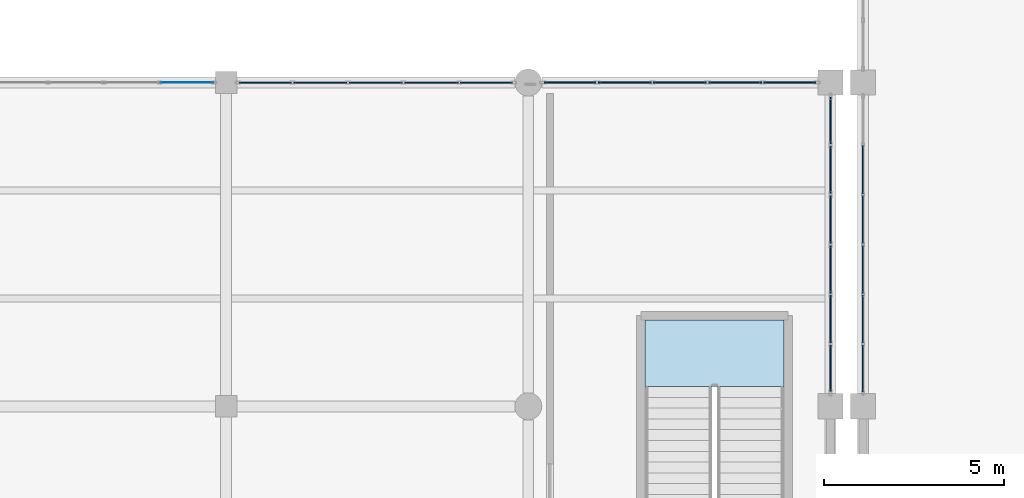
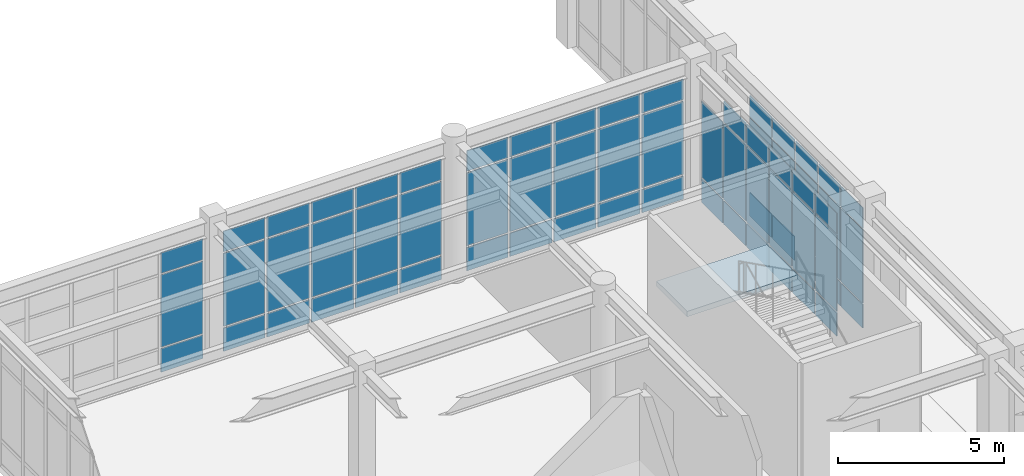
# One storey, part 61 of 80: 65 plates, 1 slab, 6 elements without a shape of their own.
"""IFC4 building model written with IfcOpenShell, lengths in metres."""

from ifc_helpers import new_model, si_unit, direction, frame, origin, origin_2d, place, context, subcontext, project, spatial, polyline, rectangle, outline, extrude, material, layer, layer_set, type_object, element, aggregate, save


model = new_model("IFC4")

# Units and contexts
model_context = context("Model", 3, precision=1e-05, world=origin(), true_north=direction((0.0, 1.0)))
body_context = subcontext(model_context, "Body", "Model", "MODEL_VIEW")
ifc_project = project(units=[si_unit("LENGTHUNIT", "METRE"), si_unit("AREAUNIT", "SQUARE_METRE"), si_unit("VOLUMEUNIT", "CUBIC_METRE"), si_unit("PLANEANGLEUNIT", "RADIAN"), si_unit("MASSUNIT", "GRAM", prefix="KILO")], contexts=[model_context])

# Site, building, storey
site_placement = place(None, origin())
site = spatial("IfcSite", under=ifc_project, at=site_placement, CompositionType="ELEMENT")
building_placement = place(site_placement, origin())
building = spatial("IfcBuilding", under=site, at=building_placement, Name="Canglan Escarpment Cableway Terminal", CompositionType="ELEMENT")
storey_placement = place(building_placement, frame((0.0, 0.0, 19.199951171875)))
storey = spatial("IfcBuildingStorey", under=building, at=storey_placement, Name="L04", CompositionType="ELEMENT", Elevation=19.199951171875)

# Curtain wall, plates
ifc_material_1 = material(Name="Anodized bronze aluminium and Low-E double glazing", Category="aluminium")
curtain_wall_type_1 = type_object("IfcCurtainWallType", Name="CW-BAY-7750x4525", PredefinedType="NOTDEFINED", material=ifc_material_1)
curtain_wall_1_placement = place(storey_placement, origin())
curtain_wall_1 = element("IfcCurtainWall", 1, at=curtain_wall_1_placement, inside=storey, type_object=curtain_wall_type_1, Name="Classical bay-between-piers glazed curtain wall CW-52", PredefinedType="NOTDEFINED")
ifc_material_2 = material(Name="Double-silver Low-E laminated insulating glass", Category="glass")
ifc_layer_1 = layer(ifc_material_2, 0.02392578125, Name="Double-silver Low-E laminated insulating glass")
ifc_layer_set_1 = layer_set([ifc_layer_1], Name="Double-silver Low-E laminated insulating glass")
plate_type_1 = type_object("IfcPlateType", Name="CWP-01", PredefinedType="CURTAIN_PANEL", material=ifc_layer_set_1)
plate_1_placement = place(storey_placement, frame((118.81005859375, 115.0, 0.05517578125), z_axis=(0.0, 0.0, 1.0), x_axis=(-1.0, 0.0, 0.0)))
plate_1 = element("IfcPlate", 2, at=plate_1_placement, type_object=plate_type_1, Name="CW-52 panel 1.1", PredefinedType="CURTAIN_PANEL", context=body_context, shape_type="SweptSolid", body=[
    extrude(rectangle(XDim=1.4599609375, YDim=0.02392578125, at=origin_2d()), origin(), (0.0, 0.0, 1.0), 0.867431640625),
])
plate_2_placement = place(storey_placement, frame((118.81005859375, 115.0, 0.9775390625), z_axis=(0.0, 0.0, 1.0), x_axis=(-1.0, 0.0, 0.0)))
plate_2 = element("IfcPlate", 3, at=plate_2_placement, type_object=plate_type_1, Name="CW-52 panel 1.2", PredefinedType="CURTAIN_PANEL", context=body_context, shape_type="SweptSolid", body=[
    extrude(rectangle(XDim=1.4599609375, YDim=0.02392578125, at=origin_2d()), origin(), (0.0, 0.0, 1.0), 2.666015625),
])
plate_3_placement = place(storey_placement, frame((118.81005859375, 115.0, 3.698486328125), z_axis=(0.0, 0.0, 1.0), x_axis=(-1.0, 0.0, 0.0)))
plate_3 = element("IfcPlate", 4, at=plate_3_placement, type_object=plate_type_1, Name="CW-52 panel 1.3", PredefinedType="CURTAIN_PANEL", context=body_context, shape_type="SweptSolid", body=[
    extrude(rectangle(XDim=1.4599609375, YDim=0.02392578125, at=origin_2d()), origin(), (0.0, 0.0, 1.0), 0.767578125),
])
aggregate(curtain_wall_1, [plate_1, plate_2, plate_3])

curtain_wall_type_2 = type_object("IfcCurtainWallType", Name="CW-BAY-7725x4550", PredefinedType="NOTDEFINED", material=ifc_material_1)
curtain_wall_2_placement = place(storey_placement, origin())
curtain_wall_2 = element("IfcCurtainWall", 5, at=curtain_wall_2_placement, inside=storey, type_object=curtain_wall_type_2, Name="Classical bay-between-piers glazed curtain wall CW-53", PredefinedType="NOTDEFINED")
ifc_layer_2 = layer(ifc_material_2, 0.028076171875, Name="Double-silver Low-E laminated insulating glass")
ifc_layer_set_2 = layer_set([ifc_layer_2], Name="Double-silver Low-E laminated insulating glass")
plate_type_2 = type_object("IfcPlateType", Name="CWP-02", PredefinedType="CURTAIN_PANEL", material=ifc_layer_set_2)
plate_4_placement = place(storey_placement, frame((127.13623046875, 115.0, 0.06005859375), z_axis=(0.0, 0.0, 1.0), x_axis=(-1.0, 0.0, 0.0)))
plate_4 = element("IfcPlate", 6, at=plate_4_placement, type_object=plate_type_2, Name="CW-53 panel 1.1", PredefinedType="CURTAIN_PANEL", context=body_context, shape_type="SweptSolid", body=[
    extrude(rectangle(XDim=1.447509765625, YDim=0.028076171875, at=origin_2d()), origin(), (0.0, 0.0, 1.0), 0.860107421875),
])
plate_5_placement = place(storey_placement, frame((127.13623046875, 115.0, 0.97998046875), z_axis=(0.0, 0.0, 1.0), x_axis=(-1.0, 0.0, 0.0)))
plate_5 = element("IfcPlate", 7, at=plate_5_placement, type_object=plate_type_2, Name="CW-53 panel 1.2", PredefinedType="CURTAIN_PANEL", context=body_context, shape_type="SweptSolid", body=[
    extrude(rectangle(XDim=1.447509765625, YDim=0.028076171875, at=origin_2d()), origin(), (0.0, 0.0, 1.0), 2.69091796875),
])
plate_6_placement = place(storey_placement, frame((127.13623046875, 115.0, 3.73095703125), z_axis=(0.0, 0.0, 1.0), x_axis=(-1.0, 0.0, 0.0)))
plate_6 = element("IfcPlate", 8, at=plate_6_placement, type_object=plate_type_2, Name="CW-53 panel 1.3", PredefinedType="CURTAIN_PANEL", context=body_context, shape_type="SweptSolid", body=[
    extrude(rectangle(XDim=1.447509765625, YDim=0.028076171875, at=origin_2d()), origin(), (0.0, 0.0, 1.0), 0.760009765625),
])
plate_7_placement = place(storey_placement, frame((125.607421875, 115.0, 0.06005859375), z_axis=(0.0, 0.0, 1.0), x_axis=(-1.0, 0.0, 0.0)))
plate_7 = element("IfcPlate", 9, at=plate_7_placement, type_object=plate_type_2, Name="CW-53 panel 2.1", PredefinedType="CURTAIN_PANEL", context=body_context, shape_type="SweptSolid", body=[
    extrude(rectangle(XDim=1.47998046875, YDim=0.028076171875, at=origin_2d()), origin(), (0.0, 0.0, 1.0), 0.860107421875),
])
plate_8_placement = place(storey_placement, frame((125.607421875, 115.0, 0.97998046875), z_axis=(0.0, 0.0, 1.0), x_axis=(-1.0, 0.0, 0.0)))
plate_8 = element("IfcPlate", 10, at=plate_8_placement, type_object=plate_type_2, Name="CW-53 panel 2.2", PredefinedType="CURTAIN_PANEL", context=body_context, shape_type="SweptSolid", body=[
    extrude(rectangle(XDim=1.47998046875, YDim=0.028076171875, at=origin_2d()), origin(), (0.0, 0.0, 1.0), 2.69091796875),
])
plate_9_placement = place(storey_placement, frame((125.607421875, 115.0, 3.73095703125), z_axis=(0.0, 0.0, 1.0), x_axis=(-1.0, 0.0, 0.0)))
plate_9 = element("IfcPlate", 11, at=plate_9_placement, type_object=plate_type_2, Name="CW-53 panel 2.3", PredefinedType="CURTAIN_PANEL", context=body_context, shape_type="SweptSolid", body=[
    extrude(rectangle(XDim=1.47998046875, YDim=0.028076171875, at=origin_2d()), origin(), (0.0, 0.0, 1.0), 0.760009765625),
])
plate_10_placement = place(storey_placement, frame((124.0625, 115.0, 0.06005859375), z_axis=(0.0, 0.0, 1.0), x_axis=(-1.0, 0.0, 0.0)))
plate_10 = element("IfcPlate", 12, at=plate_10_placement, type_object=plate_type_2, Name="CW-53 panel 3.1", PredefinedType="CURTAIN_PANEL", context=body_context, shape_type="SweptSolid", body=[
    extrude(rectangle(XDim=1.47998046875, YDim=0.028076171875, at=origin_2d()), origin(), (0.0, 0.0, 1.0), 0.860107421875),
])
plate_11_placement = place(storey_placement, frame((124.0625, 115.0, 0.97998046875), z_axis=(0.0, 0.0, 1.0), x_axis=(-1.0, 0.0, 0.0)))
plate_11 = element("IfcPlate", 13, at=plate_11_placement, type_object=plate_type_2, Name="CW-53 panel 3.2", PredefinedType="CURTAIN_PANEL", context=body_context, shape_type="SweptSolid", body=[
    extrude(rectangle(XDim=1.47998046875, YDim=0.028076171875, at=origin_2d()), origin(), (0.0, 0.0, 1.0), 2.69091796875),
])
plate_12_placement = place(storey_placement, frame((124.0625, 115.0, 3.73095703125), z_axis=(0.0, 0.0, 1.0), x_axis=(-1.0, 0.0, 0.0)))
plate_12 = element("IfcPlate", 14, at=plate_12_placement, type_object=plate_type_2, Name="CW-53 panel 3.3", PredefinedType="CURTAIN_PANEL", context=body_context, shape_type="SweptSolid", body=[
    extrude(rectangle(XDim=1.47998046875, YDim=0.028076171875, at=origin_2d()), origin(), (0.0, 0.0, 1.0), 0.760009765625),
])
plate_13_placement = place(storey_placement, frame((122.517578125, 115.0, 0.06005859375), z_axis=(0.0, 0.0, 1.0), x_axis=(-1.0, 0.0, 0.0)))
plate_13 = element("IfcPlate", 15, at=plate_13_placement, type_object=plate_type_2, Name="CW-53 panel 4.1", PredefinedType="CURTAIN_PANEL", context=body_context, shape_type="SweptSolid", body=[
    extrude(rectangle(XDim=1.47998046875, YDim=0.028076171875, at=origin_2d()), origin(), (0.0, 0.0, 1.0), 0.860107421875),
])
plate_14_placement = place(storey_placement, frame((122.517578125, 115.0, 0.97998046875), z_axis=(0.0, 0.0, 1.0), x_axis=(-1.0, 0.0, 0.0)))
plate_14 = element("IfcPlate", 16, at=plate_14_placement, type_object=plate_type_2, Name="CW-53 panel 4.2", PredefinedType="CURTAIN_PANEL", context=body_context, shape_type="SweptSolid", body=[
    extrude(rectangle(XDim=1.47998046875, YDim=0.028076171875, at=origin_2d()), origin(), (0.0, 0.0, 1.0), 2.69091796875),
])
plate_15_placement = place(storey_placement, frame((122.517578125, 115.0, 3.73095703125), z_axis=(0.0, 0.0, 1.0), x_axis=(-1.0, 0.0, 0.0)))
plate_15 = element("IfcPlate", 17, at=plate_15_placement, type_object=plate_type_2, Name="CW-53 panel 4.3", PredefinedType="CURTAIN_PANEL", context=body_context, shape_type="SweptSolid", body=[
    extrude(rectangle(XDim=1.47998046875, YDim=0.028076171875, at=origin_2d()), origin(), (0.0, 0.0, 1.0), 0.760009765625),
])
plate_16_placement = place(storey_placement, frame((120.98876953125, 115.0, 0.06005859375), z_axis=(0.0, 0.0, 1.0), x_axis=(-1.0, 0.0, 0.0)))
plate_16 = element("IfcPlate", 18, at=plate_16_placement, type_object=plate_type_2, Name="CW-53 panel 5.1", PredefinedType="CURTAIN_PANEL", context=body_context, shape_type="SweptSolid", body=[
    extrude(rectangle(XDim=1.447509765625, YDim=0.028076171875, at=origin_2d()), origin(), (0.0, 0.0, 1.0), 0.860107421875),
])
plate_17_placement = place(storey_placement, frame((120.98876953125, 115.0, 0.97998046875), z_axis=(0.0, 0.0, 1.0), x_axis=(-1.0, 0.0, 0.0)))
plate_17 = element("IfcPlate", 19, at=plate_17_placement, type_object=plate_type_2, Name="CW-53 panel 5.2", PredefinedType="CURTAIN_PANEL", context=body_context, shape_type="SweptSolid", body=[
    extrude(rectangle(XDim=1.447509765625, YDim=0.028076171875, at=origin_2d()), origin(), (0.0, 0.0, 1.0), 2.69091796875),
])
plate_18_placement = place(storey_placement, frame((120.98876953125, 115.0, 3.73095703125), z_axis=(0.0, 0.0, 1.0), x_axis=(-1.0, 0.0, 0.0)))
plate_18 = element("IfcPlate", 20, at=plate_18_placement, type_object=plate_type_2, Name="CW-53 panel 5.3", PredefinedType="CURTAIN_PANEL", context=body_context, shape_type="SweptSolid", body=[
    extrude(rectangle(XDim=1.447509765625, YDim=0.028076171875, at=origin_2d()), origin(), (0.0, 0.0, 1.0), 0.760009765625),
])
aggregate(curtain_wall_2, [plate_4, plate_5, plate_6, plate_7, plate_8, plate_9, plate_10, plate_11, plate_12, plate_13, plate_14, plate_15, plate_16, plate_17, plate_18])

curtain_wall_type_3 = type_object("IfcCurtainWallType", Name="CW-BAY-8300x4550", PredefinedType="NOTDEFINED", material=ifc_material_1)
curtain_wall_3_placement = place(storey_placement, origin())
curtain_wall_3 = element("IfcCurtainWall", 21, at=curtain_wall_3_placement, inside=storey, type_object=curtain_wall_type_3, Name="Classical bay-between-piers glazed curtain wall CW-64", PredefinedType="NOTDEFINED")
plate_19_placement = place(storey_placement, frame((137.60009765625, 112.574951171875, 0.05517578125), z_axis=(0.0, 0.0, 1.0), x_axis=(0.0, -1.0, 0.0)))
plate_19 = element("IfcPlate", 22, at=plate_19_placement, type_object=plate_type_2, Name="CW-64 panel 2.1", PredefinedType="CURTAIN_PANEL", context=body_context, shape_type="SweptSolid", body=[
    extrude(rectangle(XDim=1.3232421875, YDim=0.028076171875, at=origin_2d()), origin(), (0.0, 0.0, 1.0), 0.867431640625),
])
plate_20_placement = place(storey_placement, frame((137.60009765625, 112.574951171875, 0.9775390625), z_axis=(0.0, 0.0, 1.0), x_axis=(0.0, -1.0, 0.0)))
plate_20 = element("IfcPlate", 23, at=plate_20_placement, type_object=plate_type_2, Name="CW-64 panel 2.2", PredefinedType="CURTAIN_PANEL", context=body_context, shape_type="SweptSolid", body=[
    extrude(rectangle(XDim=1.3232421875, YDim=0.028076171875, at=origin_2d()), origin(), (0.0, 0.0, 1.0), 2.696044921875),
])
plate_21_placement = place(storey_placement, frame((137.60009765625, 112.574951171875, 3.728515625), z_axis=(0.0, 0.0, 1.0), x_axis=(0.0, -1.0, 0.0)))
plate_21 = element("IfcPlate", 24, at=plate_21_placement, type_object=plate_type_2, Name="CW-64 panel 2.3", PredefinedType="CURTAIN_PANEL", context=body_context, shape_type="SweptSolid", body=[
    extrude(rectangle(XDim=1.3232421875, YDim=0.028076171875, at=origin_2d()), origin(), (0.0, 0.0, 1.0), 0.767578125),
])
plate_22_placement = place(storey_placement, frame((137.60009765625, 111.191650390625, 0.05517578125), z_axis=(0.0, 0.0, 1.0), x_axis=(0.0, -1.0, 0.0)))
plate_22 = element("IfcPlate", 25, at=plate_22_placement, type_object=plate_type_2, Name="CW-64 panel 3.1", PredefinedType="CURTAIN_PANEL", context=body_context, shape_type="SweptSolid", body=[
    extrude(rectangle(XDim=1.3232421875, YDim=0.028076171875, at=origin_2d()), origin(), (0.0, 0.0, 1.0), 0.867431640625),
])
plate_23_placement = place(storey_placement, frame((137.60009765625, 111.191650390625, 0.9775390625), z_axis=(0.0, 0.0, 1.0), x_axis=(0.0, -1.0, 0.0)))
plate_23 = element("IfcPlate", 26, at=plate_23_placement, type_object=plate_type_2, Name="CW-64 panel 3.2", PredefinedType="CURTAIN_PANEL", context=body_context, shape_type="SweptSolid", body=[
    extrude(rectangle(XDim=1.3232421875, YDim=0.028076171875, at=origin_2d()), origin(), (0.0, 0.0, 1.0), 2.696044921875),
])
plate_24_placement = place(storey_placement, frame((137.60009765625, 111.191650390625, 3.728515625), z_axis=(0.0, 0.0, 1.0), x_axis=(0.0, -1.0, 0.0)))
plate_24 = element("IfcPlate", 27, at=plate_24_placement, type_object=plate_type_2, Name="CW-64 panel 3.3", PredefinedType="CURTAIN_PANEL", context=body_context, shape_type="SweptSolid", body=[
    extrude(rectangle(XDim=1.3232421875, YDim=0.028076171875, at=origin_2d()), origin(), (0.0, 0.0, 1.0), 0.767578125),
])
plate_25_placement = place(storey_placement, frame((137.60009765625, 109.808349609375, 0.05517578125), z_axis=(0.0, 0.0, 1.0), x_axis=(0.0, -1.0, 0.0)))
plate_25 = element("IfcPlate", 28, at=plate_25_placement, type_object=plate_type_2, Name="CW-64 panel 4.1", PredefinedType="CURTAIN_PANEL", context=body_context, shape_type="SweptSolid", body=[
    extrude(rectangle(XDim=1.3232421875, YDim=0.028076171875, at=origin_2d()), origin(), (0.0, 0.0, 1.0), 0.867431640625),
])
plate_26_placement = place(storey_placement, frame((137.60009765625, 109.808349609375, 0.9775390625), z_axis=(0.0, 0.0, 1.0), x_axis=(0.0, -1.0, 0.0)))
plate_26 = element("IfcPlate", 29, at=plate_26_placement, type_object=plate_type_2, Name="CW-64 panel 4.2", PredefinedType="CURTAIN_PANEL", context=body_context, shape_type="SweptSolid", body=[
    extrude(rectangle(XDim=1.3232421875, YDim=0.028076171875, at=origin_2d()), origin(), (0.0, 0.0, 1.0), 2.696044921875),
])
plate_27_placement = place(storey_placement, frame((137.60009765625, 109.808349609375, 3.728515625), z_axis=(0.0, 0.0, 1.0), x_axis=(0.0, -1.0, 0.0)))
plate_27 = element("IfcPlate", 30, at=plate_27_placement, type_object=plate_type_2, Name="CW-64 panel 4.3", PredefinedType="CURTAIN_PANEL", context=body_context, shape_type="SweptSolid", body=[
    extrude(rectangle(XDim=1.3232421875, YDim=0.028076171875, at=origin_2d()), origin(), (0.0, 0.0, 1.0), 0.767578125),
])
plate_28_placement = place(storey_placement, frame((137.60009765625, 108.425048828125, 0.05517578125), z_axis=(0.0, 0.0, 1.0), x_axis=(0.0, -1.0, 0.0)))
plate_28 = element("IfcPlate", 31, at=plate_28_placement, type_object=plate_type_2, Name="CW-64 panel 5.1", PredefinedType="CURTAIN_PANEL", context=body_context, shape_type="SweptSolid", body=[
    extrude(rectangle(XDim=1.3232421875, YDim=0.028076171875, at=origin_2d()), origin(), (0.0, 0.0, 1.0), 0.867431640625),
])
plate_29_placement = place(storey_placement, frame((137.60009765625, 108.425048828125, 0.9775390625), z_axis=(0.0, 0.0, 1.0), x_axis=(0.0, -1.0, 0.0)))
plate_29 = element("IfcPlate", 32, at=plate_29_placement, type_object=plate_type_2, Name="CW-64 panel 5.2", PredefinedType="CURTAIN_PANEL", context=body_context, shape_type="SweptSolid", body=[
    extrude(rectangle(XDim=1.3232421875, YDim=0.028076171875, at=origin_2d()), origin(), (0.0, 0.0, 1.0), 2.696044921875),
])
plate_30_placement = place(storey_placement, frame((137.60009765625, 108.425048828125, 3.728515625), z_axis=(0.0, 0.0, 1.0), x_axis=(0.0, -1.0, 0.0)))
plate_30 = element("IfcPlate", 33, at=plate_30_placement, type_object=plate_type_2, Name="CW-64 panel 5.3", PredefinedType="CURTAIN_PANEL", context=body_context, shape_type="SweptSolid", body=[
    extrude(rectangle(XDim=1.3232421875, YDim=0.028076171875, at=origin_2d()), origin(), (0.0, 0.0, 1.0), 0.767578125),
])
plate_31_placement = place(storey_placement, frame((137.60009765625, 107.056640625, 0.05517578125), z_axis=(0.0, 0.0, 1.0), x_axis=(0.0, -1.0, 0.0)))
plate_31 = element("IfcPlate", 34, at=plate_31_placement, type_object=plate_type_2, Name="CW-64 panel 6.1", PredefinedType="CURTAIN_PANEL", context=body_context, shape_type="SweptSolid", body=[
    extrude(rectangle(XDim=1.293212890625, YDim=0.028076171875, at=origin_2d()), origin(), (0.0, 0.0, 1.0), 0.867431640625),
])
plate_32_placement = place(storey_placement, frame((137.60009765625, 107.056640625, 0.9775390625), z_axis=(0.0, 0.0, 1.0), x_axis=(0.0, -1.0, 0.0)))
plate_32 = element("IfcPlate", 35, at=plate_32_placement, type_object=plate_type_2, Name="CW-64 panel 6.2", PredefinedType="CURTAIN_PANEL", context=body_context, shape_type="SweptSolid", body=[
    extrude(rectangle(XDim=1.293212890625, YDim=0.028076171875, at=origin_2d()), origin(), (0.0, 0.0, 1.0), 2.696044921875),
])
plate_33_placement = place(storey_placement, frame((137.60009765625, 107.056640625, 3.728515625), z_axis=(0.0, 0.0, 1.0), x_axis=(0.0, -1.0, 0.0)))
plate_33 = element("IfcPlate", 36, at=plate_33_placement, type_object=plate_type_2, Name="CW-64 panel 6.3", PredefinedType="CURTAIN_PANEL", context=body_context, shape_type="SweptSolid", body=[
    extrude(rectangle(XDim=1.293212890625, YDim=0.028076171875, at=origin_2d()), origin(), (0.0, 0.0, 1.0), 0.767578125),
])
aggregate(curtain_wall_3, [plate_19, plate_20, plate_21, plate_22, plate_23, plate_24, plate_25, plate_26, plate_27, plate_28, plate_29, plate_30, plate_31, plate_32, plate_33])

curtain_wall_type_4 = type_object("IfcCurtainWallType", Name="CW-BAY-8300x4650", PredefinedType="NOTDEFINED", material=ifc_material_1)
curtain_wall_4_placement = place(storey_placement, origin())
curtain_wall_4 = element("IfcCurtainWall", 37, at=curtain_wall_4_placement, inside=storey, type_object=curtain_wall_type_4, Name="Classical bay-between-piers glazed curtain wall CW-51", PredefinedType="NOTDEFINED")
ifc_layer_3 = layer(ifc_material_2, 0.031982421875, Name="Double-silver Low-E laminated insulating glass")
ifc_layer_set_3 = layer_set([ifc_layer_3], Name="Double-silver Low-E laminated insulating glass")
plate_type_3 = type_object("IfcPlateType", Name="CWP-03", PredefinedType="CURTAIN_PANEL", material=ifc_layer_set_3)
plate_34_placement = place(storey_placement, frame((136.699951171875, 107.057861328125, 0.06494140625), z_axis=(0.0, 0.0, 1.0), x_axis=(0.0, 1.0, 0.0)))
plate_34 = element("IfcPlate", 38, at=plate_34_placement, type_object=plate_type_3, Name="CW-51 panel 1.1", PredefinedType="CURTAIN_PANEL", context=body_context, shape_type="SweptSolid", body=[
    extrude(rectangle(XDim=1.285888671875, YDim=0.031982421875, at=origin_2d()), origin(), (0.0, 0.0, 1.0), 0.8525390625),
])
plate_35_placement = place(storey_placement, frame((136.699951171875, 107.057861328125, 0.982666015625), z_axis=(0.0, 0.0, 1.0), x_axis=(0.0, 1.0, 0.0)))
plate_35 = element("IfcPlate", 39, at=plate_35_placement, type_object=plate_type_3, Name="CW-51 panel 1.2", PredefinedType="CURTAIN_PANEL", context=body_context, shape_type="SweptSolid", body=[
    extrude(rectangle(XDim=1.285888671875, YDim=0.031982421875, at=origin_2d()), origin(), (0.0, 0.0, 1.0), 2.7919921875),
])
plate_36_placement = place(storey_placement, frame((136.699951171875, 107.057861328125, 3.839599609375), z_axis=(0.0, 0.0, 1.0), x_axis=(0.0, 1.0, 0.0)))
plate_36 = element("IfcPlate", 40, at=plate_36_placement, type_object=plate_type_3, Name="CW-51 panel 1.3", PredefinedType="CURTAIN_PANEL", context=body_context, shape_type="SweptSolid", body=[
    extrude(rectangle(XDim=1.285888671875, YDim=0.031982421875, at=origin_2d()), origin(), (0.0, 0.0, 1.0), 0.75244140625),
])
plate_37_placement = place(storey_placement, frame((136.699951171875, 108.425048828125, 0.06494140625), z_axis=(0.0, 0.0, 1.0), x_axis=(0.0, 1.0, 0.0)))
plate_37 = element("IfcPlate", 41, at=plate_37_placement, type_object=plate_type_3, Name="CW-51 panel 2.1", PredefinedType="CURTAIN_PANEL", context=body_context, shape_type="SweptSolid", body=[
    extrude(rectangle(XDim=1.318359375, YDim=0.031982421875, at=origin_2d()), origin(), (0.0, 0.0, 1.0), 0.8525390625),
])
plate_38_placement = place(storey_placement, frame((136.699951171875, 108.425048828125, 0.982666015625), z_axis=(0.0, 0.0, 1.0), x_axis=(0.0, 1.0, 0.0)))
plate_38 = element("IfcPlate", 42, at=plate_38_placement, type_object=plate_type_3, Name="CW-51 panel 2.2", PredefinedType="CURTAIN_PANEL", context=body_context, shape_type="SweptSolid", body=[
    extrude(rectangle(XDim=1.318359375, YDim=0.031982421875, at=origin_2d()), origin(), (0.0, 0.0, 1.0), 2.7919921875),
])
plate_39_placement = place(storey_placement, frame((136.699951171875, 108.425048828125, 3.839599609375), z_axis=(0.0, 0.0, 1.0), x_axis=(0.0, 1.0, 0.0)))
plate_39 = element("IfcPlate", 43, at=plate_39_placement, type_object=plate_type_3, Name="CW-51 panel 2.3", PredefinedType="CURTAIN_PANEL", context=body_context, shape_type="SweptSolid", body=[
    extrude(rectangle(XDim=1.318359375, YDim=0.031982421875, at=origin_2d()), origin(), (0.0, 0.0, 1.0), 0.75244140625),
])
plate_40_placement = place(storey_placement, frame((136.699951171875, 109.808349609375, 0.06494140625), z_axis=(0.0, 0.0, 1.0), x_axis=(0.0, 1.0, 0.0)))
plate_40 = element("IfcPlate", 44, at=plate_40_placement, type_object=plate_type_3, Name="CW-51 panel 3.1", PredefinedType="CURTAIN_PANEL", context=body_context, shape_type="SweptSolid", body=[
    extrude(rectangle(XDim=1.318359375, YDim=0.031982421875, at=origin_2d()), origin(), (0.0, 0.0, 1.0), 0.8525390625),
])
plate_41_placement = place(storey_placement, frame((136.699951171875, 109.808349609375, 0.982666015625), z_axis=(0.0, 0.0, 1.0), x_axis=(0.0, 1.0, 0.0)))
plate_41 = element("IfcPlate", 45, at=plate_41_placement, type_object=plate_type_3, Name="CW-51 panel 3.2", PredefinedType="CURTAIN_PANEL", context=body_context, shape_type="SweptSolid", body=[
    extrude(rectangle(XDim=1.318359375, YDim=0.031982421875, at=origin_2d()), origin(), (0.0, 0.0, 1.0), 2.7919921875),
])
plate_42_placement = place(storey_placement, frame((136.699951171875, 109.808349609375, 3.839599609375), z_axis=(0.0, 0.0, 1.0), x_axis=(0.0, 1.0, 0.0)))
plate_42 = element("IfcPlate", 46, at=plate_42_placement, type_object=plate_type_3, Name="CW-51 panel 3.3", PredefinedType="CURTAIN_PANEL", context=body_context, shape_type="SweptSolid", body=[
    extrude(rectangle(XDim=1.318359375, YDim=0.031982421875, at=origin_2d()), origin(), (0.0, 0.0, 1.0), 0.75244140625),
])
plate_43_placement = place(storey_placement, frame((136.699951171875, 111.191650390625, 0.06494140625), z_axis=(0.0, 0.0, 1.0), x_axis=(0.0, 1.0, 0.0)))
plate_43 = element("IfcPlate", 47, at=plate_43_placement, type_object=plate_type_3, Name="CW-51 panel 4.1", PredefinedType="CURTAIN_PANEL", context=body_context, shape_type="SweptSolid", body=[
    extrude(rectangle(XDim=1.318359375, YDim=0.031982421875, at=origin_2d()), origin(), (0.0, 0.0, 1.0), 0.8525390625),
])
plate_44_placement = place(storey_placement, frame((136.699951171875, 111.191650390625, 0.982666015625), z_axis=(0.0, 0.0, 1.0), x_axis=(0.0, 1.0, 0.0)))
plate_44 = element("IfcPlate", 48, at=plate_44_placement, type_object=plate_type_3, Name="CW-51 panel 4.2", PredefinedType="CURTAIN_PANEL", context=body_context, shape_type="SweptSolid", body=[
    extrude(rectangle(XDim=1.318359375, YDim=0.031982421875, at=origin_2d()), origin(), (0.0, 0.0, 1.0), 2.7919921875),
])
plate_45_placement = place(storey_placement, frame((136.699951171875, 111.191650390625, 3.839599609375), z_axis=(0.0, 0.0, 1.0), x_axis=(0.0, 1.0, 0.0)))
plate_45 = element("IfcPlate", 49, at=plate_45_placement, type_object=plate_type_3, Name="CW-51 panel 4.3", PredefinedType="CURTAIN_PANEL", context=body_context, shape_type="SweptSolid", body=[
    extrude(rectangle(XDim=1.318359375, YDim=0.031982421875, at=origin_2d()), origin(), (0.0, 0.0, 1.0), 0.75244140625),
])
plate_46_placement = place(storey_placement, frame((136.699951171875, 112.574951171875, 0.06494140625), z_axis=(0.0, 0.0, 1.0), x_axis=(0.0, 1.0, 0.0)))
plate_46 = element("IfcPlate", 50, at=plate_46_placement, type_object=plate_type_3, Name="CW-51 panel 5.1", PredefinedType="CURTAIN_PANEL", context=body_context, shape_type="SweptSolid", body=[
    extrude(rectangle(XDim=1.318359375, YDim=0.031982421875, at=origin_2d()), origin(), (0.0, 0.0, 1.0), 0.8525390625),
])
plate_47_placement = place(storey_placement, frame((136.699951171875, 112.574951171875, 0.982666015625), z_axis=(0.0, 0.0, 1.0), x_axis=(0.0, 1.0, 0.0)))
plate_47 = element("IfcPlate", 51, at=plate_47_placement, type_object=plate_type_3, Name="CW-51 panel 5.2", PredefinedType="CURTAIN_PANEL", context=body_context, shape_type="SweptSolid", body=[
    extrude(rectangle(XDim=1.318359375, YDim=0.031982421875, at=origin_2d()), origin(), (0.0, 0.0, 1.0), 2.7919921875),
])
plate_48_placement = place(storey_placement, frame((136.699951171875, 112.574951171875, 3.839599609375), z_axis=(0.0, 0.0, 1.0), x_axis=(0.0, 1.0, 0.0)))
plate_48 = element("IfcPlate", 52, at=plate_48_placement, type_object=plate_type_3, Name="CW-51 panel 5.3", PredefinedType="CURTAIN_PANEL", context=body_context, shape_type="SweptSolid", body=[
    extrude(rectangle(XDim=1.318359375, YDim=0.031982421875, at=origin_2d()), origin(), (0.0, 0.0, 1.0), 0.75244140625),
])
plate_49_placement = place(storey_placement, frame((136.699951171875, 113.942138671875, 0.06494140625), z_axis=(0.0, 0.0, 1.0), x_axis=(0.0, 1.0, 0.0)))
plate_49 = element("IfcPlate", 53, at=plate_49_placement, type_object=plate_type_3, Name="CW-51 panel 6.1", PredefinedType="CURTAIN_PANEL", context=body_context, shape_type="SweptSolid", body=[
    extrude(rectangle(XDim=1.285888671875, YDim=0.031982421875, at=origin_2d()), origin(), (0.0, 0.0, 1.0), 0.8525390625),
])
plate_50_placement = place(storey_placement, frame((136.699951171875, 113.942138671875, 0.982666015625), z_axis=(0.0, 0.0, 1.0), x_axis=(0.0, 1.0, 0.0)))
plate_50 = element("IfcPlate", 54, at=plate_50_placement, type_object=plate_type_3, Name="CW-51 panel 6.2", PredefinedType="CURTAIN_PANEL", context=body_context, shape_type="SweptSolid", body=[
    extrude(rectangle(XDim=1.285888671875, YDim=0.031982421875, at=origin_2d()), origin(), (0.0, 0.0, 1.0), 2.7919921875),
])
aggregate(curtain_wall_4, [plate_34, plate_35, plate_36, plate_37, plate_38, plate_39, plate_40, plate_41, plate_42, plate_43, plate_44, plate_45, plate_46, plate_47, plate_48, plate_49, plate_50])

curtain_wall_type_5 = type_object("IfcCurtainWallType", Name="CW-BAY-7675x4550", PredefinedType="NOTDEFINED", material=ifc_material_1)
curtain_wall_5_placement = place(storey_placement, origin())
curtain_wall_5 = element("IfcCurtainWall", 55, at=curtain_wall_5_placement, inside=storey, type_object=curtain_wall_type_5, Name="Classical bay-between-piers glazed curtain wall CW-54", PredefinedType="NOTDEFINED")
plate_51_placement = place(storey_placement, frame((135.566162109375, 115.0, 0.06494140625), z_axis=(0.0, 0.0, 1.0), x_axis=(-1.0, 0.0, 0.0)))
plate_51 = element("IfcPlate", 56, at=plate_51_placement, type_object=plate_type_3, Name="CW-54 panel 1.1", PredefinedType="CURTAIN_PANEL", context=body_context, shape_type="SweptSolid", body=[
    extrude(rectangle(XDim=1.4375, YDim=0.031982421875, at=origin_2d()), origin(), (0.0, 0.0, 1.0), 0.8525390625),
])
plate_52_placement = place(storey_placement, frame((135.566162109375, 115.0, 0.982421875), z_axis=(0.0, 0.0, 1.0), x_axis=(-1.0, 0.0, 0.0)))
plate_52 = element("IfcPlate", 57, at=plate_52_placement, type_object=plate_type_3, Name="CW-54 panel 1.2", PredefinedType="CURTAIN_PANEL", context=body_context, shape_type="SweptSolid", body=[
    extrude(rectangle(XDim=1.4375, YDim=0.031982421875, at=origin_2d()), origin(), (0.0, 0.0, 1.0), 2.68603515625),
])
plate_53_placement = place(storey_placement, frame((135.566162109375, 115.0, 3.733642578125), z_axis=(0.0, 0.0, 1.0), x_axis=(-1.0, 0.0, 0.0)))
plate_53 = element("IfcPlate", 58, at=plate_53_placement, type_object=plate_type_3, Name="CW-54 panel 1.3", PredefinedType="CURTAIN_PANEL", context=body_context, shape_type="SweptSolid", body=[
    extrude(rectangle(XDim=1.4375, YDim=0.031982421875, at=origin_2d()), origin(), (0.0, 0.0, 1.0), 0.75244140625),
])
plate_54_placement = place(storey_placement, frame((134.047607421875, 115.0, 0.06494140625), z_axis=(0.0, 0.0, 1.0), x_axis=(-1.0, 0.0, 0.0)))
plate_54 = element("IfcPlate", 59, at=plate_54_placement, type_object=plate_type_3, Name="CW-54 panel 2.1", PredefinedType="CURTAIN_PANEL", context=body_context, shape_type="SweptSolid", body=[
    extrude(rectangle(XDim=1.469970703125, YDim=0.031982421875, at=origin_2d()), origin(), (0.0, 0.0, 1.0), 0.8525390625),
])
plate_55_placement = place(storey_placement, frame((134.047607421875, 115.0, 0.982421875), z_axis=(0.0, 0.0, 1.0), x_axis=(-1.0, 0.0, 0.0)))
plate_55 = element("IfcPlate", 60, at=plate_55_placement, type_object=plate_type_3, Name="CW-54 panel 2.2", PredefinedType="CURTAIN_PANEL", context=body_context, shape_type="SweptSolid", body=[
    extrude(rectangle(XDim=1.469970703125, YDim=0.031982421875, at=origin_2d()), origin(), (0.0, 0.0, 1.0), 2.68603515625),
])
plate_56_placement = place(storey_placement, frame((134.047607421875, 115.0, 3.733642578125), z_axis=(0.0, 0.0, 1.0), x_axis=(-1.0, 0.0, 0.0)))
plate_56 = element("IfcPlate", 61, at=plate_56_placement, type_object=plate_type_3, Name="CW-54 panel 2.3", PredefinedType="CURTAIN_PANEL", context=body_context, shape_type="SweptSolid", body=[
    extrude(rectangle(XDim=1.469970703125, YDim=0.031982421875, at=origin_2d()), origin(), (0.0, 0.0, 1.0), 0.75244140625),
])
plate_57_placement = place(storey_placement, frame((132.512451171875, 115.0, 0.06494140625), z_axis=(0.0, 0.0, 1.0), x_axis=(-1.0, 0.0, 0.0)))
plate_57 = element("IfcPlate", 62, at=plate_57_placement, type_object=plate_type_3, Name="CW-54 panel 3.1", PredefinedType="CURTAIN_PANEL", context=body_context, shape_type="SweptSolid", body=[
    extrude(rectangle(XDim=1.469970703125, YDim=0.031982421875, at=origin_2d()), origin(), (0.0, 0.0, 1.0), 0.8525390625),
])
plate_58_placement = place(storey_placement, frame((132.512451171875, 115.0, 0.982421875), z_axis=(0.0, 0.0, 1.0), x_axis=(-1.0, 0.0, 0.0)))
plate_58 = element("IfcPlate", 63, at=plate_58_placement, type_object=plate_type_3, Name="CW-54 panel 3.2", PredefinedType="CURTAIN_PANEL", context=body_context, shape_type="SweptSolid", body=[
    extrude(rectangle(XDim=1.469970703125, YDim=0.031982421875, at=origin_2d()), origin(), (0.0, 0.0, 1.0), 2.68603515625),
])
plate_59_placement = place(storey_placement, frame((132.512451171875, 115.0, 3.733642578125), z_axis=(0.0, 0.0, 1.0), x_axis=(-1.0, 0.0, 0.0)))
plate_59 = element("IfcPlate", 64, at=plate_59_placement, type_object=plate_type_3, Name="CW-54 panel 3.3", PredefinedType="CURTAIN_PANEL", context=body_context, shape_type="SweptSolid", body=[
    extrude(rectangle(XDim=1.469970703125, YDim=0.031982421875, at=origin_2d()), origin(), (0.0, 0.0, 1.0), 0.75244140625),
])
plate_60_placement = place(storey_placement, frame((130.9775390625, 115.0, 0.06494140625), z_axis=(0.0, 0.0, 1.0), x_axis=(-1.0, 0.0, 0.0)))
plate_60 = element("IfcPlate", 65, at=plate_60_placement, type_object=plate_type_3, Name="CW-54 panel 4.1", PredefinedType="CURTAIN_PANEL", context=body_context, shape_type="SweptSolid", body=[
    extrude(rectangle(XDim=1.469970703125, YDim=0.031982421875, at=origin_2d()), origin(), (0.0, 0.0, 1.0), 0.8525390625),
])
plate_61_placement = place(storey_placement, frame((130.9775390625, 115.0, 0.982421875), z_axis=(0.0, 0.0, 1.0), x_axis=(-1.0, 0.0, 0.0)))
plate_61 = element("IfcPlate", 66, at=plate_61_placement, type_object=plate_type_3, Name="CW-54 panel 4.2", PredefinedType="CURTAIN_PANEL", context=body_context, shape_type="SweptSolid", body=[
    extrude(rectangle(XDim=1.469970703125, YDim=0.031982421875, at=origin_2d()), origin(), (0.0, 0.0, 1.0), 2.68603515625),
])
plate_62_placement = place(storey_placement, frame((130.9775390625, 115.0, 3.733642578125), z_axis=(0.0, 0.0, 1.0), x_axis=(-1.0, 0.0, 0.0)))
plate_62 = element("IfcPlate", 67, at=plate_62_placement, type_object=plate_type_3, Name="CW-54 panel 4.3", PredefinedType="CURTAIN_PANEL", context=body_context, shape_type="SweptSolid", body=[
    extrude(rectangle(XDim=1.469970703125, YDim=0.031982421875, at=origin_2d()), origin(), (0.0, 0.0, 1.0), 0.75244140625),
])
plate_63_placement = place(storey_placement, frame((129.458740234375, 115.0, 0.06494140625), z_axis=(0.0, 0.0, 1.0), x_axis=(-1.0, 0.0, 0.0)))
plate_63 = element("IfcPlate", 68, at=plate_63_placement, type_object=plate_type_3, Name="CW-54 panel 5.1", PredefinedType="CURTAIN_PANEL", context=body_context, shape_type="SweptSolid", body=[
    extrude(rectangle(XDim=1.4375, YDim=0.031982421875, at=origin_2d()), origin(), (0.0, 0.0, 1.0), 0.8525390625),
])
plate_64_placement = place(storey_placement, frame((129.458740234375, 115.0, 0.982421875), z_axis=(0.0, 0.0, 1.0), x_axis=(-1.0, 0.0, 0.0)))
plate_64 = element("IfcPlate", 69, at=plate_64_placement, type_object=plate_type_3, Name="CW-54 panel 5.2", PredefinedType="CURTAIN_PANEL", context=body_context, shape_type="SweptSolid", body=[
    extrude(rectangle(XDim=1.4375, YDim=0.031982421875, at=origin_2d()), origin(), (0.0, 0.0, 1.0), 2.68603515625),
])
plate_65_placement = place(storey_placement, frame((129.458740234375, 115.0, 3.733642578125), z_axis=(0.0, 0.0, 1.0), x_axis=(-1.0, 0.0, 0.0)))
plate_65 = element("IfcPlate", 70, at=plate_65_placement, type_object=plate_type_3, Name="CW-54 panel 5.3", PredefinedType="CURTAIN_PANEL", context=body_context, shape_type="SweptSolid", body=[
    extrude(rectangle(XDim=1.4375, YDim=0.031982421875, at=origin_2d()), origin(), (0.0, 0.0, 1.0), 0.75244140625),
])
aggregate(curtain_wall_5, [plate_51, plate_52, plate_53, plate_54, plate_55, plate_56, plate_57, plate_58, plate_59, plate_60, plate_61, plate_62, plate_63, plate_64, plate_65])

# Stair, slab
ifc_material_3 = material(Name="Concrete C40", Category="concrete")
stair_type = type_object("IfcStairType", Name="STR-DOGLEG-1850", PredefinedType="HALF_TURN_STAIR", material=ifc_material_3)
stair_placement = place(storey_placement, origin())
stair = element("IfcStair", 71, at=stair_placement, inside=storey, type_object=stair_type, Name="L04 Protected Exit Stair ST-18", PredefinedType="HALF_TURN_STAIR")
ifc_layer_4 = layer(ifc_material_3, 0.199951171875, Name="Concrete C40")
ifc_layer_set_4 = layer_set([ifc_layer_4], Name="Concrete C40")
slab_type = type_object("IfcSlabType", Name="SLB-STAIR-LAND-200", PredefinedType="LANDING", material=ifc_layer_set_4)
slab_placement = place(storey_placement, frame((0.0, 0.0, 2.5)))
slab = element("IfcSlab", 72, at=slab_placement, type_object=slab_type, Name="ST-18 landing 1", PredefinedType="LANDING", context=body_context, shape_type="SweptSolid", body=[
    extrude(outline(polyline([(135.39990234375, 106.550048828125), (135.39990234375, 108.39990234375), (131.550048828125, 108.39990234375), (131.550048828125, 106.550048828125), (135.39990234375, 106.550048828125)])), origin(), (0.0, 0.0, 1.0), 0.199951171875),
])
aggregate(stair, [slab])

save(model, "model.ifc")
